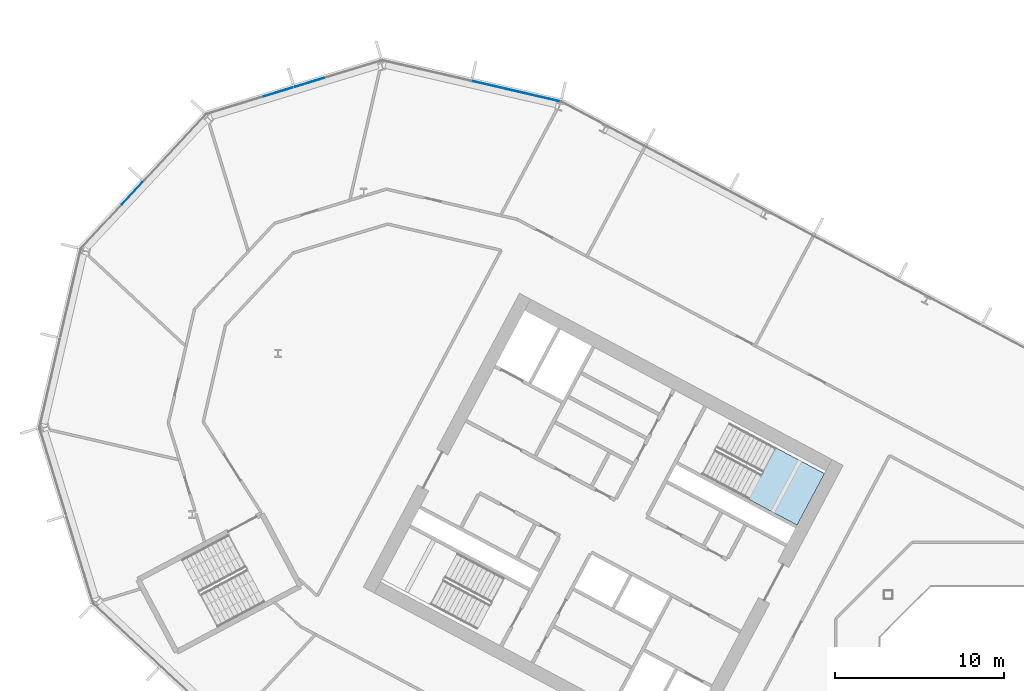
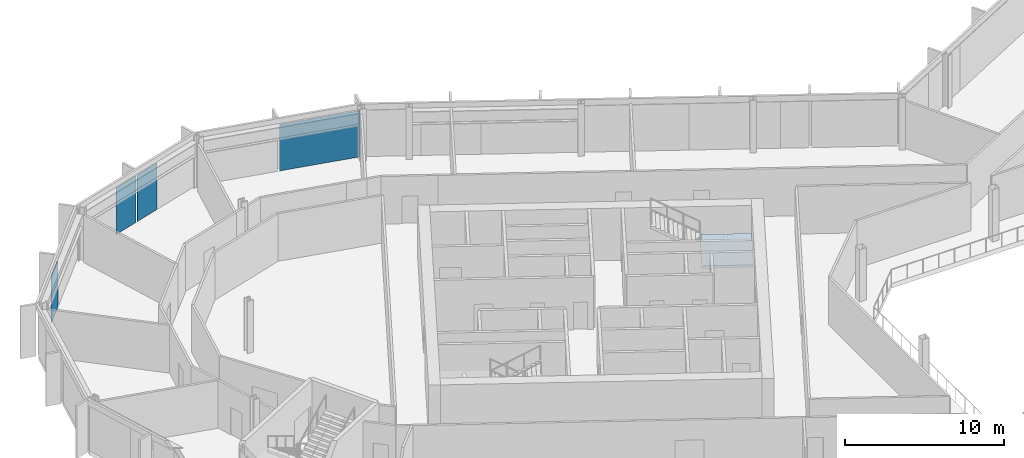
# One storey, part 11 of 28: 4 plates, 1 slab, 4 elements without a shape of their own.
"""IFC4 building model written with IfcOpenShell, lengths in metres."""

from ifc_helpers import new_model, si_unit, direction, frame, origin, origin_2d, place, context, subcontext, project, spatial, polyline, rectangle, outline, extrude, material, layer, layer_set, type_object, element, aggregate, save


model = new_model("IFC4")

# Units and contexts
model_context = context("Model", 3, precision=1e-05, world=origin(), true_north=direction((0.0, 1.0)))
body_context = subcontext(model_context, "Body", "Model", "MODEL_VIEW")
ifc_project = project(units=[si_unit("LENGTHUNIT", "METRE"), si_unit("AREAUNIT", "SQUARE_METRE"), si_unit("VOLUMEUNIT", "CUBIC_METRE"), si_unit("PLANEANGLEUNIT", "RADIAN"), si_unit("MASSUNIT", "GRAM", prefix="KILO")], contexts=[model_context])

# Site, building, storey
site_placement = place(None, origin())
site = spatial("IfcSite", under=ifc_project, at=site_placement, CompositionType="ELEMENT")
building_placement = place(site_placement, origin())
building = spatial("IfcBuilding", under=site, at=building_placement, Name="Cormorant Relay Tower", CompositionType="ELEMENT")
storey_placement = place(building_placement, frame((0.0, 0.0, 170.199951171875)))
storey = spatial("IfcBuildingStorey", under=building, at=storey_placement, Name="L36", CompositionType="ELEMENT", Elevation=170.199951171875)

# Curtain wall, plates
ifc_material_1 = material(Name="Aluminium 6063-T6 anodised bronze", Category="aluminium")
ifc_layer_1 = layer(ifc_material_1, 0.199951171875)
ifc_layer_set_1 = layer_set([ifc_layer_1], Name="CW1 unitised bronze curtain wall with vertical fins")
curtain_wall_type = type_object("IfcCurtainWallType", Name="CW1 unitised bronze curtain wall with vertical fins", PredefinedType="NOTDEFINED", material=ifc_layer_set_1)
curtain_wall_1_placement = place(storey_placement, origin())
curtain_wall_1 = element("IfcCurtainWall", 1, at=curtain_wall_1_placement, inside=storey, type_object=curtain_wall_type, Name="CW1 curtain wall 11", PredefinedType="NOTDEFINED")
ifc_material_2 = material(Name="Tinted laminated glass", Category="glass")
ifc_layer_2 = layer(ifc_material_2, 0.0400390625)
ifc_layer_set_2 = layer_set([ifc_layer_2], Name="CW1 tinted vision panel 1800 module")
plate_type_1 = type_object("IfcPlateType", Name="CW1 tinted vision panel 1800 module", PredefinedType="CURTAIN_PANEL", material=ifc_layer_set_2)
plate_1_placement = place(storey_placement, frame((-44.73681640625, 40.82861328125, 0.0), z_axis=(0.0, 0.0, 1.0), x_axis=(-0.956304755963, -0.292371704723, 0.0)))
plate_1 = element("IfcPlate", 2, at=plate_1_placement, type_object=plate_type_1, Name="CW1 panel V01", PredefinedType="CURTAIN_PANEL", context=body_context, shape_type="SweptSolid", body=[
    extrude(rectangle(XDim=1.800048828125, YDim=0.0400390625, at=origin_2d()), origin(), (0.0, 0.0, 1.0), 3.550048828125),
])
plate_2_placement = place(storey_placement, frame((-46.6015625, 40.25830078125, 0.0), z_axis=(0.0, 0.0, 1.0), x_axis=(-0.956304755963, -0.292371704723, 0.0)))
plate_2 = element("IfcPlate", 3, at=plate_2_placement, type_object=plate_type_1, Name="CW1 panel V02", PredefinedType="CURTAIN_PANEL", context=body_context, shape_type="SweptSolid", body=[
    extrude(rectangle(XDim=1.800048828125, YDim=0.0400390625, at=origin_2d()), origin(), (0.0, 0.0, 1.0), 3.550048828125),
])
aggregate(curtain_wall_1, [plate_1, plate_2])

# Curtain wall, plate
curtain_wall_2_placement = place(storey_placement, origin())
curtain_wall_2 = element("IfcCurtainWall", 4, at=curtain_wall_2_placement, inside=storey, type_object=curtain_wall_type, Name="CW1 curtain wall 12", PredefinedType="NOTDEFINED")
plate_3_placement = place(storey_placement, frame((-55.247314453125, 34.2607421875, 0.0), z_axis=(0.0, 0.0, 1.0), x_axis=(-0.681998360062, -0.731353701619, 0.0)))
plate_3 = element("IfcPlate", 5, at=plate_3_placement, type_object=plate_type_1, Name="CW1 panel V01", PredefinedType="CURTAIN_PANEL", context=body_context, shape_type="SweptSolid", body=[
    extrude(rectangle(XDim=1.800048828125, YDim=0.0400390625, at=origin_2d()), origin(), (0.0, 0.0, 1.0), 3.550048828125),
])
aggregate(curtain_wall_2, [plate_3])

curtain_wall_3_placement = place(storey_placement, origin())
curtain_wall_3 = element("IfcCurtainWall", 6, at=curtain_wall_3_placement, inside=storey, type_object=curtain_wall_type, Name="CW1 curtain wall 10", PredefinedType="NOTDEFINED")
ifc_material_3 = material(Name="Tinted laminated glass", Category="glass")
ifc_layer_3 = layer(ifc_material_3, 0.0400390625)
ifc_layer_set_3 = layer_set([ifc_layer_3], Name="CW1 tinted vision panel 5400 module")
plate_type_2 = type_object("IfcPlateType", Name="CW1 tinted vision panel 5400 module", PredefinedType="CURTAIN_PANEL", material=ifc_layer_set_3)
plate_4_placement = place(storey_placement, frame((-32.51708984375, 40.298828125, 0.0), z_axis=(0.0, 0.0, 1.0), x_axis=(-0.974370064785, 0.224951054344, 0.0)))
plate_4 = element("IfcPlate", 7, at=plate_4_placement, type_object=plate_type_2, Name="CW1 panel V00", PredefinedType="CURTAIN_PANEL", context=body_context, shape_type="SweptSolid", body=[
    extrude(rectangle(XDim=5.28515625, YDim=0.0400390625, at=origin_2d()), origin(), (0.0, 0.0, 1.0), 3.550048828125),
])
aggregate(curtain_wall_3, [plate_4])

# Stair, slab
ifc_material_4 = material(Name="Concrete 40 MPa", Category="concrete")
stair_type = type_object("IfcStairType", Name="Exit stair 1500", PredefinedType="HALF_TURN_STAIR", material=ifc_material_4)
stair_placement = place(storey_placement, origin())
stair = element("IfcStair", 8, at=stair_placement, inside=storey, type_object=stair_type, Name="L36 Stair", PredefinedType="HALF_TURN_STAIR")
ifc_material_5 = material(Name="Concrete 40 MPa", Category="concrete")
ifc_layer_4 = layer(ifc_material_5, 0.199951171875)
ifc_layer_set_4 = layer_set([ifc_layer_4], Name="Exit stair landing 200")
slab_type = type_object("IfcSlabType", Name="Exit stair landing 200", PredefinedType="LANDING", material=ifc_layer_set_4)
slab_placement = place(storey_placement, frame((0.0, 0.0, 1.800048828125)))
slab = element("IfcSlab", 9, at=slab_placement, type_object=slab_type, Name="A1 landing 1", PredefinedType="LANDING", context=body_context, shape_type="SweptSolid", body=[
    extrude(outline(polyline([(-18.7822265625, 16.1591796875), (-15.89501953125, 14.6240234375), (-14.275390625, 17.670166015625), (-17.16259765625, 19.205322265625), (-18.7822265625, 16.1591796875)])), origin(), (0.0, 0.0, 1.0), 0.199951171875),
])
aggregate(stair, [slab])

save(model, "model.ifc")
